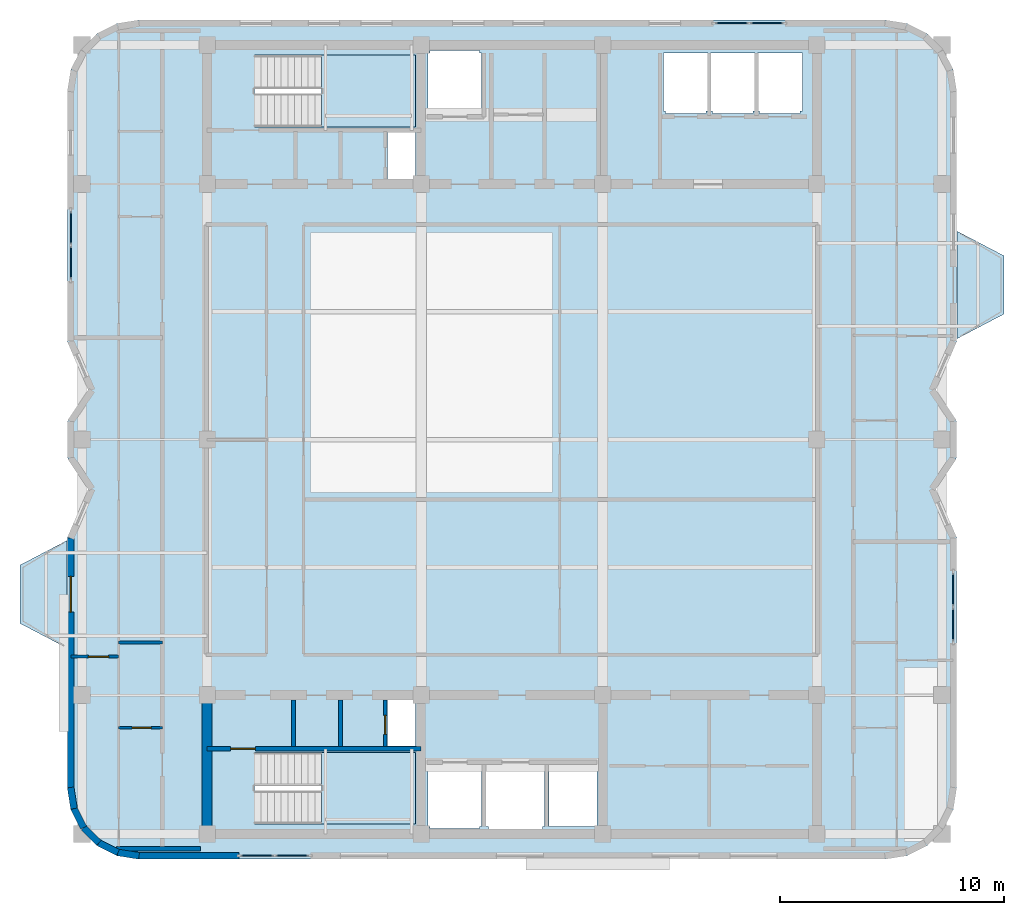
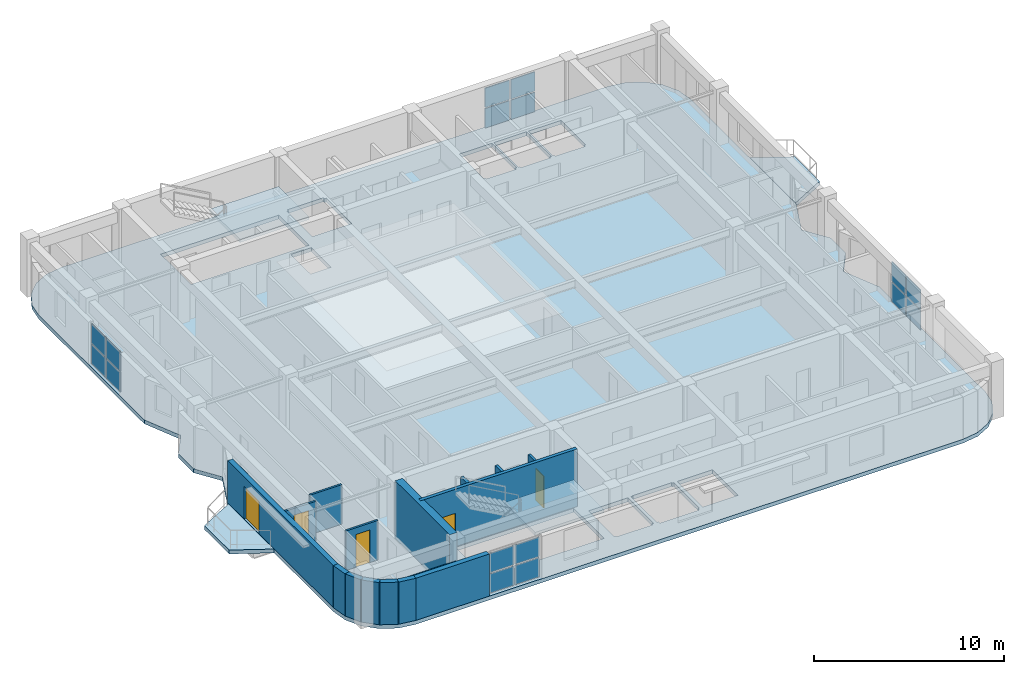
# One storey, part 4 of 11: 16 plates, 16 walls, 5 doors, 5 slabs, 5 openings, 6 elements without a shape of their own.
"""IFC4 building model written with IfcOpenShell, lengths in metres."""

from ifc_helpers import new_model, si_unit, direction, frame, frame_2d, origin, origin_2d, place, context, subcontext, project, spatial, polyline, rectangle, outline, extrude, material, layer, layer_set, type_object, element, fill, aggregate, save


model = new_model("IFC4")

# Units and contexts
model_context = context("Model", 3, precision=1e-05, world=origin(), true_north=direction((0.0, 1.0)))
body_context = subcontext(model_context, "Body", "Model", "MODEL_VIEW")
ifc_project = project(units=[si_unit("LENGTHUNIT", "METRE"), si_unit("AREAUNIT", "SQUARE_METRE"), si_unit("VOLUMEUNIT", "CUBIC_METRE"), si_unit("PLANEANGLEUNIT", "RADIAN"), si_unit("MASSUNIT", "GRAM", prefix="KILO")], contexts=[model_context])

# Site, building, storey
site_placement = place(None, origin())
site = spatial("IfcSite", under=ifc_project, at=site_placement, CompositionType="ELEMENT")
building_placement = place(site_placement, origin())
building = spatial("IfcBuilding", under=site, at=building_placement, Name="Svetorya Sky Lyceum", CompositionType="ELEMENT")
storey_placement = place(building_placement, frame((0.0, 0.0, 293.5)))
storey = spatial("IfcBuildingStorey", under=building, at=storey_placement, Name="L74", CompositionType="ELEMENT", Elevation=293.5)

# Curtain wall, plates
ifc_material_1 = material(Name="Thermally broken anodized aluminium and triple low-E glass", Category="aluminium")
curtain_wall_type = type_object("IfcCurtainWallType", Name="CW6-CRN-OBS", PredefinedType="NOTDEFINED", material=ifc_material_1)
curtain_wall_1_placement = place(storey_placement, origin())
curtain_wall_1 = element("IfcCurtainWall", 1, at=curtain_wall_1_placement, inside=storey, type_object=curtain_wall_type, Name="L74 Observatory Curtain Wall 6", PredefinedType="NOTDEFINED")
ifc_material_2 = material(Name="Acoustic laminated observatory triple glass", Category="glass")
ifc_layer_1 = layer(ifc_material_2, 0.055908203125)
ifc_layer_set_1 = layer_set([ifc_layer_1], Name="Acoustic laminated observatory triple glass")
plate_type = type_object("IfcPlateType", Name="CWP-GLZ-56", PredefinedType="CURTAIN_PANEL", material=ifc_layer_set_1)
plate_1_placement = place(storey_placement, frame((27.831298828125, 9.6298828125, 0.073486328125), z_axis=(0.0, 0.0, 1.0), x_axis=(1.0, 0.0, 0.0)))
plate_1 = element("IfcPlate", 2, at=plate_1_placement, type_object=plate_type, Name="CW-6 panel 1.1", PredefinedType="CURTAIN_PANEL", context=body_context, shape_type="SweptSolid", body=[
    extrude(rectangle(XDim=1.4755859375, YDim=0.055908203125, at=origin_2d()), origin(), (0.0, 0.0, 1.0), 1.24560546875),
])
plate_2_placement = place(storey_placement, frame((27.831298828125, 9.6298828125, 1.390869140625), z_axis=(0.0, 0.0, 1.0), x_axis=(1.0, 0.0, 0.0)))
plate_2 = element("IfcPlate", 3, at=plate_2_placement, type_object=plate_type, Name="CW-6 panel 1.2", PredefinedType="CURTAIN_PANEL", context=body_context, shape_type="SweptSolid", body=[
    extrude(rectangle(XDim=1.4755859375, YDim=0.055908203125, at=origin_2d()), origin(), (0.0, 0.0, 1.0), 1.24560546875),
])
plate_3_placement = place(storey_placement, frame((29.388671875, 9.6298828125, 0.073486328125), z_axis=(0.0, 0.0, 1.0), x_axis=(1.0, 0.0, 0.0)))
plate_3 = element("IfcPlate", 4, at=plate_3_placement, type_object=plate_type, Name="CW-6 panel 2.1", PredefinedType="CURTAIN_PANEL", context=body_context, shape_type="SweptSolid", body=[
    extrude(rectangle(XDim=1.4755859375, YDim=0.055908203125, at=origin_2d()), origin(), (0.0, 0.0, 1.0), 1.24560546875),
])
plate_4_placement = place(storey_placement, frame((29.388671875, 9.6298828125, 1.390869140625), z_axis=(0.0, 0.0, 1.0), x_axis=(1.0, 0.0, 0.0)))
plate_4 = element("IfcPlate", 5, at=plate_4_placement, type_object=plate_type, Name="CW-6 panel 2.2", PredefinedType="CURTAIN_PANEL", context=body_context, shape_type="SweptSolid", body=[
    extrude(rectangle(XDim=1.4755859375, YDim=0.055908203125, at=origin_2d()), origin(), (0.0, 0.0, 1.0), 1.24560546875),
])
aggregate(curtain_wall_1, [plate_1, plate_2, plate_3, plate_4])

curtain_wall_2_placement = place(storey_placement, origin())
curtain_wall_2 = element("IfcCurtainWall", 6, at=curtain_wall_2_placement, inside=storey, type_object=curtain_wall_type, Name="L74 Observatory Curtain Wall 12", PredefinedType="NOTDEFINED")
plate_5_placement = place(storey_placement, frame((58.889892578125, 19.951171875, 0.073486328125), z_axis=(0.0, 0.0, 1.0), x_axis=(0.0, 1.0, 0.0)))
plate_5 = element("IfcPlate", 7, at=plate_5_placement, type_object=plate_type, Name="CW-6 panel 1.1", PredefinedType="CURTAIN_PANEL", context=body_context, shape_type="SweptSolid", body=[
    extrude(rectangle(XDim=1.4755859375, YDim=0.055908203125, at=origin_2d()), origin(), (0.0, 0.0, 1.0), 1.24560546875),
])
plate_6_placement = place(storey_placement, frame((58.889892578125, 19.951171875, 1.390869140625), z_axis=(0.0, 0.0, 1.0), x_axis=(0.0, 1.0, 0.0)))
plate_6 = element("IfcPlate", 8, at=plate_6_placement, type_object=plate_type, Name="CW-6 panel 1.2", PredefinedType="CURTAIN_PANEL", context=body_context, shape_type="SweptSolid", body=[
    extrude(rectangle(XDim=1.4755859375, YDim=0.055908203125, at=origin_2d()), origin(), (0.0, 0.0, 1.0), 1.24560546875),
])
plate_7_placement = place(storey_placement, frame((58.889892578125, 21.5087890625, 0.073486328125), z_axis=(0.0, 0.0, 1.0), x_axis=(0.0, 1.0, 0.0)))
plate_7 = element("IfcPlate", 9, at=plate_7_placement, type_object=plate_type, Name="CW-6 panel 2.1", PredefinedType="CURTAIN_PANEL", context=body_context, shape_type="SweptSolid", body=[
    extrude(rectangle(XDim=1.4755859375, YDim=0.055908203125, at=origin_2d()), origin(), (0.0, 0.0, 1.0), 1.24560546875),
])
plate_8_placement = place(storey_placement, frame((58.889892578125, 21.5087890625, 1.390869140625), z_axis=(0.0, 0.0, 1.0), x_axis=(0.0, 1.0, 0.0)))
plate_8 = element("IfcPlate", 10, at=plate_8_placement, type_object=plate_type, Name="CW-6 panel 2.2", PredefinedType="CURTAIN_PANEL", context=body_context, shape_type="SweptSolid", body=[
    extrude(rectangle(XDim=1.4755859375, YDim=0.055908203125, at=origin_2d()), origin(), (0.0, 0.0, 1.0), 1.24560546875),
])
aggregate(curtain_wall_2, [plate_5, plate_6, plate_7, plate_8])

curtain_wall_3_placement = place(storey_placement, origin())
curtain_wall_3 = element("IfcCurtainWall", 11, at=curtain_wall_3_placement, inside=storey, type_object=curtain_wall_type, Name="L74 Observatory Curtain Wall 24", PredefinedType="NOTDEFINED")
plate_9_placement = place(storey_placement, frame((50.56884765625, 46.77001953125, 0.073486328125), z_axis=(0.0, 0.0, 1.0), x_axis=(-1.0, 0.0, 0.0)))
plate_9 = element("IfcPlate", 12, at=plate_9_placement, type_object=plate_type, Name="CW-6 panel 1.1", PredefinedType="CURTAIN_PANEL", context=body_context, shape_type="SweptSolid", body=[
    extrude(rectangle(XDim=1.4755859375, YDim=0.055908203125, at=origin_2d()), origin(), (0.0, 0.0, 1.0), 1.24560546875),
])
plate_10_placement = place(storey_placement, frame((50.56884765625, 46.77001953125, 1.390869140625), z_axis=(0.0, 0.0, 1.0), x_axis=(-1.0, 0.0, 0.0)))
plate_10 = element("IfcPlate", 13, at=plate_10_placement, type_object=plate_type, Name="CW-6 panel 1.2", PredefinedType="CURTAIN_PANEL", context=body_context, shape_type="SweptSolid", body=[
    extrude(rectangle(XDim=1.4755859375, YDim=0.055908203125, at=origin_2d()), origin(), (0.0, 0.0, 1.0), 1.24560546875),
])
plate_11_placement = place(storey_placement, frame((49.01123046875, 46.77001953125, 0.073486328125), z_axis=(0.0, 0.0, 1.0), x_axis=(-1.0, 0.0, 0.0)))
plate_11 = element("IfcPlate", 14, at=plate_11_placement, type_object=plate_type, Name="CW-6 panel 2.1", PredefinedType="CURTAIN_PANEL", context=body_context, shape_type="SweptSolid", body=[
    extrude(rectangle(XDim=1.4755859375, YDim=0.055908203125, at=origin_2d()), origin(), (0.0, 0.0, 1.0), 1.24560546875),
])
plate_12_placement = place(storey_placement, frame((49.01123046875, 46.77001953125, 1.390869140625), z_axis=(0.0, 0.0, 1.0), x_axis=(-1.0, 0.0, 0.0)))
plate_12 = element("IfcPlate", 15, at=plate_12_placement, type_object=plate_type, Name="CW-6 panel 2.2", PredefinedType="CURTAIN_PANEL", context=body_context, shape_type="SweptSolid", body=[
    extrude(rectangle(XDim=1.4755859375, YDim=0.055908203125, at=origin_2d()), origin(), (0.0, 0.0, 1.0), 1.24560546875),
])
aggregate(curtain_wall_3, [plate_9, plate_10, plate_11, plate_12])

curtain_wall_4_placement = place(storey_placement, origin())
curtain_wall_4 = element("IfcCurtainWall", 16, at=curtain_wall_4_placement, inside=storey, type_object=curtain_wall_type, Name="L74 Observatory Curtain Wall 30", PredefinedType="NOTDEFINED")
plate_13_placement = place(storey_placement, frame((19.510009765625, 37.648681640625, 0.073486328125), z_axis=(0.0, 0.0, 1.0), x_axis=(0.0, -1.0, 0.0)))
plate_13 = element("IfcPlate", 17, at=plate_13_placement, type_object=plate_type, Name="CW-6 panel 1.1", PredefinedType="CURTAIN_PANEL", context=body_context, shape_type="SweptSolid", body=[
    extrude(rectangle(XDim=1.4755859375, YDim=0.055908203125, at=origin_2d()), origin(), (0.0, 0.0, 1.0), 1.24560546875),
])
plate_14_placement = place(storey_placement, frame((19.510009765625, 37.648681640625, 1.390869140625), z_axis=(0.0, 0.0, 1.0), x_axis=(0.0, -1.0, 0.0)))
plate_14 = element("IfcPlate", 18, at=plate_14_placement, type_object=plate_type, Name="CW-6 panel 1.2", PredefinedType="CURTAIN_PANEL", context=body_context, shape_type="SweptSolid", body=[
    extrude(rectangle(XDim=1.4755859375, YDim=0.055908203125, at=origin_2d()), origin(), (0.0, 0.0, 1.0), 1.24560546875),
])
plate_15_placement = place(storey_placement, frame((19.510009765625, 36.09130859375, 0.073486328125), z_axis=(0.0, 0.0, 1.0), x_axis=(0.0, -1.0, 0.0)))
plate_15 = element("IfcPlate", 19, at=plate_15_placement, type_object=plate_type, Name="CW-6 panel 2.1", PredefinedType="CURTAIN_PANEL", context=body_context, shape_type="SweptSolid", body=[
    extrude(rectangle(XDim=1.4755859375, YDim=0.055908203125, at=origin_2d()), origin(), (0.0, 0.0, 1.0), 1.24560546875),
])
plate_16_placement = place(storey_placement, frame((19.510009765625, 36.09130859375, 1.390869140625), z_axis=(0.0, 0.0, 1.0), x_axis=(0.0, -1.0, 0.0)))
plate_16 = element("IfcPlate", 20, at=plate_16_placement, type_object=plate_type, Name="CW-6 panel 2.2", PredefinedType="CURTAIN_PANEL", context=body_context, shape_type="SweptSolid", body=[
    extrude(rectangle(XDim=1.4755859375, YDim=0.055908203125, at=origin_2d()), origin(), (0.0, 0.0, 1.0), 1.24560546875),
])
aggregate(curtain_wall_4, [plate_13, plate_14, plate_15, plate_16])

# Slabs
ifc_material_3 = material(Name="Concrete C40/50", Category="concrete")
ifc_layer_2 = layer(ifc_material_3, 0.25)
ifc_layer_set_2 = layer_set([ifc_layer_2], Name="Concrete C40/50")
slab_type_1 = type_object("IfcSlabType", Name="SL-BAL-250", PredefinedType="FLOOR", material=ifc_layer_set_2)
slab_1_placement = place(storey_placement, frame((0.0, 0.0, -0.25)))
element("IfcSlab", 21, at=slab_1_placement, inside=storey, type_object=slab_type_1, Name="L74 Chamfered Loggia Balcony BAL-W1", PredefinedType="FLOOR", context=body_context, shape_type="SweptSolid", body=[
    extrude(outline(polyline([(19.35009765625, 18.89990234375), (19.35009765625, 23.699951171875), (17.25, 22.60009765625), (17.25, 20.0), (19.35009765625, 18.89990234375)])), origin(), (0.0, 0.0, 1.0), 0.25),
])
slab_2_placement = place(storey_placement, frame((0.0, 0.0, -0.25)))
element("IfcSlab", 22, at=slab_2_placement, inside=storey, type_object=slab_type_1, Name="L74 Chamfered Loggia Balcony BAL-E1", PredefinedType="FLOOR", context=body_context, shape_type="SweptSolid", body=[
    extrude(outline(polyline([(59.050048828125, 32.699951171875), (61.14990234375, 33.800048828125), (61.14990234375, 36.39990234375), (59.050048828125, 37.5), (59.050048828125, 32.699951171875)])), origin(), (0.0, 0.0, 1.0), 0.25),
])

# Stair, slab
stair_type_1 = type_object("IfcStairType", Name="STR-ST-S", PredefinedType="HALF_TURN_STAIR", material=ifc_material_3)
stair_1_placement = place(storey_placement, origin())
stair_1 = element("IfcStair", 23, at=stair_1_placement, inside=storey, type_object=stair_type_1, Name="L74 South Core Smoke-Free Exit Stair N2", PredefinedType="HALF_TURN_STAIR")
ifc_layer_3 = layer(ifc_material_3, 0.199951171875)
ifc_layer_set_3 = layer_set([ifc_layer_3], Name="Concrete C40/50")
slab_type_2 = type_object("IfcSlabType", Name="SL-STR-LAND-200", PredefinedType="LANDING", material=ifc_layer_set_3)
slab_3_placement = place(storey_placement, frame((0.0, 0.0, 1.64990234375)))
slab_3 = element("IfcSlab", 24, at=slab_3_placement, type_object=slab_type_2, Name="ST-S landing 1", PredefinedType="LANDING", context=body_context, shape_type="SweptSolid", body=[
    extrude(outline(polyline([(30.699951171875, 11.050048828125), (34.89990234375, 11.050048828125), (34.89990234375, 14.25), (30.699951171875, 14.25), (30.699951171875, 11.050048828125)])), origin(), (0.0, 0.0, 1.0), 0.2001953125),
])
aggregate(stair_1, [slab_3])

stair_type_2 = type_object("IfcStairType", Name="STR-ST-N", PredefinedType="HALF_TURN_STAIR", material=ifc_material_3)
stair_2_placement = place(storey_placement, origin())
stair_2 = element("IfcStair", 25, at=stair_2_placement, inside=storey, type_object=stair_type_2, Name="L74 North Core Smoke-Free Exit Stair N3", PredefinedType="HALF_TURN_STAIR")
slab_4_placement = place(storey_placement, frame((0.0, 0.0, 1.64990234375)))
slab_4 = element("IfcSlab", 26, at=slab_4_placement, type_object=slab_type_2, Name="ST-N landing 1", PredefinedType="LANDING", context=body_context, shape_type="SweptSolid", body=[
    extrude(outline(polyline([(30.699951171875, 42.14990234375), (34.89990234375, 42.14990234375), (34.89990234375, 45.35009765625), (30.699951171875, 45.35009765625), (30.699951171875, 42.14990234375)])), origin(), (0.0, 0.0, 1.0), 0.2001953125),
])
aggregate(stair_2, [slab_4])

# Slab
ifc_layer_4 = layer(ifc_material_3, 0.25)
ifc_layer_set_4 = layer_set([ifc_layer_4], Name="Concrete C40/50")
slab_type_3 = type_object("IfcSlabType", Name="SL-TWR-250", PredefinedType="FLOOR", material=ifc_layer_set_4)
slab_5_placement = place(storey_placement, frame((0.0, 0.0, -0.25)))
element("IfcSlab", 27, at=slab_5_placement, inside=storey, type_object=slab_type_3, Name="L74 Structural Floor Slab", PredefinedType="FLOOR", context=body_context, shape_type="SweptSolid", body=[
    extrude(outline(polyline([(19.360107421875, 12.679931640625), (19.5166015625, 11.691162109375), (19.97119140625, 10.799072265625), (20.67919921875, 10.091064453125), (21.571044921875, 9.63671875), (22.56005859375, 9.47998046875), (55.840087890625, 9.47998046875), (56.828857421875, 9.63671875), (57.720947265625, 10.091064453125), (58.428955078125, 10.799072265625), (58.88330078125, 11.691162109375), (59.0400390625, 12.679931640625), (59.0400390625, 23.800048828125), (58.090087890625, 26.0), (59.0400390625, 27.39990234375), (59.0400390625, 29.0), (58.090087890625, 30.39990234375), (59.0400390625, 32.60009765625), (59.0400390625, 43.719970703125), (58.88330078125, 44.708984375), (58.428955078125, 45.600830078125), (57.720947265625, 46.308837890625), (56.828857421875, 46.763427734375), (55.840087890625, 46.919921875), (22.56005859375, 46.919921875), (21.571044921875, 46.763427734375), (20.67919921875, 46.308837890625), (19.97119140625, 45.600830078125), (19.5166015625, 44.708984375), (19.360107421875, 43.719970703125), (19.360107421875, 32.60009765625), (20.31005859375, 30.39990234375), (19.360107421875, 29.0), (19.360107421875, 27.39990234375), (20.31005859375, 26.0), (19.360107421875, 23.800048828125), (19.360107421875, 12.679931640625)]), holes=[polyline([(37.85009765625, 10.949951171875), (37.75, 10.949951171875), (37.75, 10.85009765625), (35.550048828125, 10.85009765625), (35.550048828125, 10.949951171875), (35.449951171875, 10.949951171875), (35.449951171875, 13.64990234375), (35.550048828125, 13.64990234375), (37.75, 13.64990234375), (37.85009765625, 13.64990234375), (37.85009765625, 10.949951171875)]), polyline([(38.14990234375, 10.800048828125), (38.14990234375, 10.949951171875), (38.050048828125, 10.949951171875), (38.050048828125, 13.64990234375), (38.14990234375, 13.64990234375), (38.14990234375, 13.699951171875), (40.550048828125, 13.699951171875), (40.550048828125, 13.64990234375), (40.64990234375, 13.64990234375), (40.64990234375, 10.949951171875), (40.550048828125, 10.949951171875), (40.550048828125, 10.800048828125), (38.14990234375, 10.800048828125)]), polyline([(27.719970703125, 11.050048828125), (27.719970703125, 14.25), (34.89990234375, 14.25), (34.89990234375, 11.050048828125), (27.719970703125, 11.050048828125)]), polyline([(33.64990234375, 14.52001953125), (33.64990234375, 16.580078125), (34.89990234375, 16.580078125), (34.89990234375, 14.52001953125), (33.64990234375, 14.52001953125)]), polyline([(33.64990234375, 39.820068359375), (33.64990234375, 41.89990234375), (34.89990234375, 41.89990234375), (34.89990234375, 39.820068359375), (33.64990234375, 39.820068359375)]), polyline([(27.719970703125, 42.14990234375), (27.719970703125, 45.35009765625), (34.89990234375, 45.35009765625), (34.89990234375, 42.14990234375), (27.719970703125, 42.14990234375)]), polyline([(37.75, 42.75), (35.550048828125, 42.75), (35.449951171875, 42.75), (35.449951171875, 45.449951171875), (35.550048828125, 45.449951171875), (35.550048828125, 45.550048828125), (37.75, 45.550048828125), (37.75, 45.449951171875), (37.85009765625, 45.449951171875), (37.85009765625, 42.75), (37.75, 42.75)]), polyline([(40.85009765625, 10.949951171875), (40.85009765625, 13.64990234375), (43.0, 13.64990234375), (43.0, 10.949951171875), (40.85009765625, 10.949951171875)]), polyline([(46.050048828125, 42.75), (46.050048828125, 42.85009765625), (45.949951171875, 42.85009765625), (45.949951171875, 45.449951171875), (46.050048828125, 45.449951171875), (47.85009765625, 45.449951171875), (47.949951171875, 45.449951171875), (47.949951171875, 42.85009765625), (47.85009765625, 42.85009765625), (47.85009765625, 42.75), (46.050048828125, 42.75)]), polyline([(50.050048828125, 42.85009765625), (49.949951171875, 42.85009765625), (49.949951171875, 42.75), (48.14990234375, 42.75), (48.14990234375, 42.85009765625), (48.050048828125, 42.85009765625), (48.050048828125, 45.449951171875), (48.14990234375, 45.449951171875), (49.949951171875, 45.449951171875), (50.050048828125, 45.449951171875), (50.050048828125, 42.85009765625)]), polyline([(52.14990234375, 42.85009765625), (52.050048828125, 42.85009765625), (52.050048828125, 42.75), (50.25, 42.75), (50.25, 42.85009765625), (50.14990234375, 42.85009765625), (50.14990234375, 45.449951171875), (50.25, 45.449951171875), (52.050048828125, 45.449951171875), (52.14990234375, 45.449951171875), (52.14990234375, 42.85009765625)])]), origin(), (0.0, 0.0, 1.0), 0.25),
])

# Walls
ifc_material_4 = material(Name="Concrete C50/60", Category="concrete")
ifc_layer_5 = layer(ifc_material_4, 0.449951171875)
ifc_layer_set_5 = layer_set([ifc_layer_5], Name="Concrete C50/60")
wall_type_1 = type_object("IfcWallType", Name="WL-CORE-450", PredefinedType="SHEAR", material=ifc_layer_set_5)
wall_1_placement = place(storey_placement, frame((25.60009765625, 10.824951171875, 0.0), z_axis=(0.0, 0.0, 1.0), x_axis=(0.0, 1.0, 0.0)))
element("IfcWall", 28, at=wall_1_placement, inside=storey, type_object=wall_type_1, Name="L74 SC West Core Shear Wall", PredefinedType="SHEAR", context=body_context, shape_type="SweptSolid", body=[
    extrude(rectangle(XDim=5.75, YDim=0.449951171875, at=frame_2d((2.875, 0.0))), origin(), (0.0, 0.0, 1.0), 3.699951171875),
])
ifc_material_5 = material(Name="Putilovo limestone rainscreen on autoclaved cellular masonry", Category="masonry")
ifc_layer_6 = layer(ifc_material_5, 0.300048828125)
ifc_layer_set_6 = layer_set([ifc_layer_6], Name="Putilovo limestone rainscreen on autoclaved cellular masonry")
wall_type_2 = type_object("IfcWallType", Name="WL-EXT-300", PredefinedType="SOLIDWALL", material=ifc_layer_set_6)
wall_2_placement = place(storey_placement, frame((19.510009765625, 12.679931640625, 0.0), z_axis=(0.0, 0.0, 1.0), x_axis=(0.156343617883, -0.987702725088, 0.0)))
element("IfcWall", 29, at=wall_2_placement, inside=storey, type_object=wall_type_2, Name="L74 Limestone Exterior Wall 1M", PredefinedType="SOLIDWALL", context=body_context, shape_type="SweptSolid", body=[
    extrude(rectangle(XDim=0.9541015625, YDim=0.300048828125, at=frame_2d((0.47705078125, 0.0))), origin(), (0.0, 0.0, 1.0), 2.7099609375),
])
for number, where, z_axis, x_axis, name in (
    (30, (19.6591796875, 11.737548828125, 0.0), (0.0, 0.0, 1.0), (0.454056065666, -0.890973113642, 0.0), "L74 Limestone Exterior Wall 2M"),
    (31, (20.092529296875, 10.88720703125, 0.0), (0.0, 0.0, 1.0), (0.707106781187, -0.707106781187, 0.0), "L74 Limestone Exterior Wall 3M"),
):
    element("IfcWall", number, at=place(storey_placement, frame(where, z_axis=z_axis, x_axis=x_axis)), inside=storey, type_object=wall_type_2, Name=name, PredefinedType="SOLIDWALL", context=body_context, shape_type="SweptSolid", body=[
        extrude(rectangle(XDim=0.954345703125, YDim=0.300048828125, at=frame_2d((0.47705078125, 0.0))), origin(), (0.0, 0.0, 1.0), 2.7099609375),
    ])
wall_3_placement = place(storey_placement, frame((20.767333984375, 10.21240234375, 0.0), z_axis=(0.0, 0.0, 1.0), x_axis=(0.891023873617, -0.45395644796, 0.0)))
element("IfcWall", 32, at=wall_3_placement, inside=storey, type_object=wall_type_2, Name="L74 Limestone Exterior Wall 4M", PredefinedType="SOLIDWALL", context=body_context, shape_type="SweptSolid", body=[
    extrude(rectangle(XDim=0.9541015625, YDim=0.300048828125, at=frame_2d((0.47705078125, 0.0))), origin(), (0.0, 0.0, 1.0), 2.7099609375),
])
wall_4_placement = place(storey_placement, frame((21.617431640625, 9.779296875, 0.0), z_axis=(0.0, 0.0, 1.0), x_axis=(0.987669453596, -0.156553666304, 0.0)))
element("IfcWall", 33, at=wall_4_placement, inside=storey, type_object=wall_type_2, Name="L74 Limestone Exterior Wall 5M", PredefinedType="SOLIDWALL", context=body_context, shape_type="SweptSolid", body=[
    extrude(rectangle(XDim=0.954345703125, YDim=0.300048828125, at=frame_2d((0.47705078125, 0.0))), origin(), (0.0, 0.0, 1.0), 2.7099609375),
])
wall_5_placement = place(storey_placement, frame((22.56005859375, 9.6298828125, 0.0), z_axis=(0.0, 0.0, 1.0), x_axis=(1.0, 0.0, 0.0)))
element("IfcWall", 34, at=wall_5_placement, inside=storey, type_object=wall_type_2, Name="L74 Limestone Exterior Wall 6A", PredefinedType="SOLIDWALL", context=body_context, shape_type="SweptSolid", body=[
    extrude(rectangle(XDim=4.449951171875, YDim=0.300048828125, at=frame_2d((2.22509765625, 0.0))), origin(), (0.0, 0.0, 1.0), 2.7099609375),
])

# Wall, opening, door
wall_6_placement = place(storey_placement, frame((19.510009765625, 23.800048828125, 0.0), z_axis=(0.0, 0.0, 1.0), x_axis=(0.0, -1.0, 0.0)))
wall_6 = element("IfcWall", 35, at=wall_6_placement, inside=storey, type_object=wall_type_2, Name="L74 Limestone Exterior Wall 36M", PredefinedType="SOLIDWALL", context=body_context, shape_type="SweptSolid", body=[
    extrude(rectangle(XDim=11.1201171875, YDim=0.300048828125, at=frame_2d((5.56005859375, 0.0))), origin(), (0.0, 0.0, 1.0), 2.7099609375),
])
opening_1_placement = place(wall_6_placement, frame((1.699951171875, 0.0, 0.0)))
opening_1 = element("IfcOpeningElement", 36, at=opening_1_placement, cuts=wall_6, Name="Opening D-BL1", PredefinedType="OPENING", context=body_context, shape_type="SweptSolid", body=[
    extrude(rectangle(XDim=1.60009765625, YDim=2.10009765625, at=frame_2d((0.800048828125, 1.050048828125))), frame((0.0, 0.159912109375, 0.0), z_axis=(0.0, -1.0, 0.0), x_axis=(1.0, 0.0, 0.0)), (0.0, 0.0, 1.0), 0.320068359375),
])
ifc_material_6 = material(Name="Insulated glazed aluminium balcony door", Category="aluminium")
door_type_1 = type_object("IfcDoorType", Name="DR-BAL-1600", OperationType="DOUBLE_DOOR_SINGLE_SWING", PredefinedType="DOOR", material=ifc_material_6)
door_1_placement = place(opening_1_placement, origin())
door_1 = element("IfcDoor", 37, at=door_1_placement, inside=storey, type_object=door_type_1, Name="L74 Balcony BAL-W1 Door", OperationType="DOUBLE_DOOR_SINGLE_SWING", OverallHeight=2.10009765625, OverallWidth=1.60009765625, PredefinedType="DOOR", context=body_context, shape_type="SweptSolid", body=[
    extrude(rectangle(XDim=1.60009765625, YDim=2.10009765625, at=frame_2d((0.800048828125, 1.050048828125))), frame((0.0, 0.02490234375, 0.0), z_axis=(0.0, -1.0, 0.0), x_axis=(1.0, 0.0, 0.0)), (0.0, 0.0, 1.0), 0.050048828125),
])
fill(opening_1, door_1)

ifc_material_7 = material(Name="Twin-stud galvanized framing with double fireboard", Category="gypsum")
ifc_layer_7 = layer(ifc_material_7, 0.1201171875)
ifc_layer_set_7 = layer_set([ifc_layer_7], Name="Twin-stud galvanized framing with double fireboard")
wall_type_3 = type_object("IfcWallType", Name="WL-PART-120", PredefinedType="PARTITIONING", material=ifc_layer_set_7)
wall_7_placement = place(storey_placement, frame((21.64990234375, 15.35009765625, 0.0), z_axis=(0.0, 0.0, 1.0), x_axis=(1.0, 0.0, 0.0)))
wall_7 = element("IfcWall", 38, at=wall_7_placement, inside=storey, type_object=wall_type_3, Name="L74 Interior Partition W1-WH1", PredefinedType="PARTITIONING", context=body_context, shape_type="SweptSolid", body=[
    extrude(rectangle(XDim=1.9501953125, YDim=0.1201171875, at=frame_2d((0.97509765625, 0.0))), origin(), (0.0, 0.0, 1.0), 2.5400390625),
])
opening_2_placement = place(wall_7_placement, frame((0.60009765625, 0.0, 0.0)))
opening_2 = element("IfcOpeningElement", 39, at=opening_2_placement, cuts=wall_7, Name="Opening D-BT1", PredefinedType="OPENING", context=body_context, shape_type="SweptSolid", body=[
    extrude(rectangle(XDim=0.85009765625, YDim=2.10009765625, at=frame_2d((0.425048828125, 1.050048828125))), frame((0.0, 0.070068359375, 0.0), z_axis=(0.0, -1.0, 0.0), x_axis=(1.0, 0.0, 0.0)), (0.0, 0.0, 1.0), 0.14013671875),
])
ifc_material_8 = material(Name="Moisture-resistant laminate bathroom door")
door_type_2 = type_object("IfcDoorType", Name="DR-WET-850", OperationType="SINGLE_SWING_LEFT", PredefinedType="DOOR", material=ifc_material_8)
door_2_placement = place(opening_2_placement, origin())
door_2 = element("IfcDoor", 40, at=door_2_placement, inside=storey, type_object=door_type_2, Name="Apartment W1 Bathroom Door", OperationType="SINGLE_SWING_LEFT", OverallHeight=2.10009765625, OverallWidth=0.85009765625, PredefinedType="DOOR", context=body_context, shape_type="SweptSolid", body=[
    extrude(rectangle(XDim=0.85009765625, YDim=2.10009765625, at=frame_2d((0.425048828125, 1.050048828125))), frame((0.0, 0.02490234375, 0.0), z_axis=(0.0, -1.0, 0.0), x_axis=(1.0, 0.0, 0.0)), (0.0, 0.0, 1.0), 0.050048828125),
])
fill(opening_2, door_2)

# Wall
wall_8_placement = place(storey_placement, frame((21.64990234375, 19.14990234375, 0.0), z_axis=(0.0, 0.0, 1.0), x_axis=(1.0, 0.0, 0.0)))
element("IfcWall", 41, at=wall_8_placement, inside=storey, type_object=wall_type_3, Name="L74 Interior Partition W1-WH2", PredefinedType="PARTITIONING", context=body_context, shape_type="SweptSolid", body=[
    extrude(rectangle(XDim=1.9501953125, YDim=0.1201171875, at=frame_2d((0.97509765625, 0.0))), origin(), (0.0, 0.0, 1.0), 2.5400390625),
])

# Wall, opening, door
wall_9_placement = place(storey_placement, frame((19.530029296875, 18.52001953125, 0.0), z_axis=(0.0, 0.0, 1.0), x_axis=(1.0, 0.0, 0.0)))
wall_9 = element("IfcWall", 42, at=wall_9_placement, inside=storey, type_object=wall_type_3, Name="L74 Interior Partition W1-WL1", PredefinedType="PARTITIONING", context=body_context, shape_type="SweptSolid", body=[
    extrude(rectangle(XDim=2.119873046875, YDim=0.1201171875, at=frame_2d((1.06005859375, 0.0))), origin(), (0.0, 0.0, 1.0), 2.5400390625),
])
opening_3_placement = place(wall_9_placement, frame((0.77001953125, 0.0, 0.0)))
opening_3 = element("IfcOpeningElement", 43, at=opening_3_placement, cuts=wall_9, Name="Opening D-RM1", PredefinedType="OPENING", context=body_context, shape_type="SweptSolid", body=[
    extrude(rectangle(XDim=0.89990234375, YDim=2.10009765625, at=frame_2d((0.449951171875, 1.050048828125))), frame((0.0, 0.070068359375, 0.0), z_axis=(0.0, -1.0, 0.0), x_axis=(1.0, 0.0, 0.0)), (0.0, 0.0, 1.0), 0.14013671875),
])
ifc_material_9 = material(Name="Lacquered birch veneer internal door")
door_type_3 = type_object("IfcDoorType", Name="DR-INT-900", OperationType="SINGLE_SWING_LEFT", PredefinedType="DOOR", material=ifc_material_9)
door_3_placement = place(opening_3_placement, origin())
door_3 = element("IfcDoor", 44, at=door_3_placement, inside=storey, type_object=door_type_3, Name="Apartment W1 Bedroom 1 Door", OperationType="SINGLE_SWING_LEFT", OverallHeight=2.10009765625, OverallWidth=0.89990234375, PredefinedType="DOOR", context=body_context, shape_type="SweptSolid", body=[
    extrude(rectangle(XDim=0.89990234375, YDim=2.10009765625, at=frame_2d((0.449951171875, 1.050048828125))), frame((0.0, 0.02490234375, 0.0), z_axis=(0.0, -1.0, 0.0), x_axis=(1.0, 0.0, 0.0)), (0.0, 0.0, 1.0), 0.050048828125),
])
fill(opening_3, door_3)

ifc_material_10 = material(Name="Autoclaved cellular masonry blockwork with acoustic render", Category="masonry")
ifc_layer_8 = layer(ifc_material_10, 0.14990234375)
ifc_layer_set_8 = layer_set([ifc_layer_8], Name="Autoclaved cellular masonry blockwork with acoustic render")
wall_type_4 = type_object("IfcWallType", Name="WL-PART-150", PredefinedType="PARTITIONING", material=ifc_layer_set_8)
wall_10_placement = place(storey_placement, frame((33.550048828125, 14.5, 0.0), z_axis=(0.0, 0.0, 1.0), x_axis=(0.0, 1.0, 0.0)))
wall_10 = element("IfcWall", 45, at=wall_10_placement, inside=storey, type_object=wall_type_4, Name="L74 Interior Partition SC-SWD3", PredefinedType="PARTITIONING", context=body_context, shape_type="SweptSolid", body=[
    extrude(rectangle(XDim=2.080078125, YDim=0.14990234375, at=frame_2d((1.0400390625, 0.0))), origin(), (0.0, 0.0, 1.0), 2.5400390625),
])
opening_4_placement = place(wall_10_placement, frame((0.550048828125, 0.0, 0.0)))
opening_4 = element("IfcOpeningElement", 46, at=opening_4_placement, cuts=wall_10, Name="Opening D-SH1", PredefinedType="OPENING", context=body_context, shape_type="SweptSolid", body=[
    extrude(rectangle(XDim=0.85009765625, YDim=2.050048828125, at=frame_2d((0.425048828125, 1.02490234375))), frame((0.0, 0.0849609375, 0.0), z_axis=(0.0, -1.0, 0.0), x_axis=(1.0, 0.0, 0.0)), (0.0, 0.0, 1.0), 0.169921875),
])
ifc_material_11 = material(Name="Insulated galvanized riser inspection fire door")
door_type_4 = type_object("IfcDoorType", Name="DR-SHFT-850", OperationType="SINGLE_SWING_LEFT", PredefinedType="TRAPDOOR", material=ifc_material_11)
door_4_placement = place(opening_4_placement, origin())
door_4 = element("IfcDoor", 47, at=door_4_placement, inside=storey, type_object=door_type_4, Name="L74 South Riser Access Door", OperationType="SINGLE_SWING_RIGHT", OverallHeight=2.050048828125, OverallWidth=0.85009765625, PredefinedType="TRAPDOOR", context=body_context, shape_type="SweptSolid", body=[
    extrude(rectangle(XDim=0.85009765625, YDim=2.050048828125, at=frame_2d((0.425048828125, 1.02490234375))), frame((0.0, 0.02490234375, 0.0), z_axis=(0.0, -1.0, 0.0), x_axis=(1.0, 0.0, 0.0)), (0.0, 0.0, 1.0), 0.050048828125),
])
fill(opening_4, door_4)

# Walls
ifc_material_12 = material(Name="Autoclaved cellular masonry blockwork with fire render", Category="masonry")
ifc_layer_9 = layer(ifc_material_12, 0.175048828125)
ifc_layer_set_9 = layer_set([ifc_layer_9], Name="Autoclaved cellular masonry blockwork with fire render")
wall_type_5 = type_object("IfcWallType", Name="WL-PART-175", PredefinedType="PARTITIONING", material=ifc_layer_set_9)
for number, where, z_axis, x_axis, name in (
    (48, (29.449951171875, 14.5, 0.0), (0.0, 0.0, 1.0), (0.0, 1.0, 0.0), "L74 Interior Partition SC-SWD1"),
    (49, (31.550048828125, 14.5, 0.0), (0.0, 0.0, 1.0), (0.0, 1.0, 0.0), "L74 Interior Partition SC-SWD2"),
):
    element("IfcWall", number, at=place(storey_placement, frame(where, z_axis=z_axis, x_axis=x_axis)), inside=storey, type_object=wall_type_5, Name=name, PredefinedType="PARTITIONING", context=body_context, shape_type="SweptSolid", body=[
        extrude(rectangle(XDim=2.080078125, YDim=0.175048828125, at=frame_2d((1.0400390625, 0.0))), origin(), (0.0, 0.0, 1.0), 2.5400390625),
    ])
ifc_material_13 = material(Name="Autoclaved cellular masonry blockwork with gypsum plaster", Category="masonry")
ifc_layer_10 = layer(ifc_material_13, 0.199951171875)
ifc_layer_set_10 = layer_set([ifc_layer_10], Name="Autoclaved cellular masonry blockwork with gypsum plaster")
wall_type_6 = type_object("IfcWallType", Name="WL-PART-200", PredefinedType="PARTITIONING", material=ifc_layer_set_10)
wall_11_placement = place(storey_placement, frame((21.5458984375, 9.949951171875, 0.0), z_axis=(0.0, 0.0, 1.0), x_axis=(1.0, 0.0, 0.0)))
element("IfcWall", 50, at=wall_11_placement, inside=storey, type_object=wall_type_6, Name="L74 Interior Partition W-CAP-S", PredefinedType="PARTITIONING", context=body_context, shape_type="SweptSolid", body=[
    extrude(rectangle(XDim=3.754150390625, YDim=0.199951171875, at=frame_2d((1.876953125, 0.0))), origin(), (0.0, 0.0, 1.0), 2.5400390625),
])

# Wall, opening, door
ifc_layer_11 = layer(ifc_material_4, 0.199951171875)
ifc_layer_set_11 = layer_set([ifc_layer_11], Name="Concrete C50/60")
wall_type_7 = type_object("IfcWallType", Name="WL-SHW-200", PredefinedType="SHEAR", material=ifc_layer_set_11)
wall_12_placement = place(storey_placement, frame((25.60009765625, 14.39990234375, 0.0), z_axis=(0.0, 0.0, 1.0), x_axis=(1.0, 0.0, 0.0)))
wall_12 = element("IfcWall", 51, at=wall_12_placement, inside=storey, type_object=wall_type_7, Name="L74 Structural Stair Shaft Wall SC-STW", PredefinedType="SHEAR", context=body_context, shape_type="SweptSolid", body=[
    extrude(rectangle(XDim=9.5498046875, YDim=0.199951171875, at=frame_2d((4.77490234375, 0.0))), origin(), (0.0, 0.0, 1.0), 3.699951171875),
])
opening_5_placement = place(wall_12_placement, frame((1.050048828125, 0.0, 0.0)))
opening_5 = element("IfcOpeningElement", 52, at=opening_5_placement, cuts=wall_12, Name="Opening D-ST1", PredefinedType="OPENING", context=body_context, shape_type="SweptSolid", body=[
    extrude(rectangle(XDim=1.10009765625, YDim=2.14990234375, at=frame_2d((0.550048828125, 1.074951171875))), frame((0.0, 0.10986328125, 0.0), z_axis=(0.0, -1.0, 0.0), x_axis=(1.0, 0.0, 0.0)), (0.0, 0.0, 1.0), 0.219970703125),
])
ifc_material_14 = material(Name="Powder-coated insulated galvanized stair fire door")
door_type_5 = type_object("IfcDoorType", Name="DR-FIRE-1100", OperationType="SINGLE_SWING_LEFT", PredefinedType="DOOR", material=ifc_material_14)
door_5_placement = place(opening_5_placement, origin())
door_5 = element("IfcDoor", 53, at=door_5_placement, inside=storey, type_object=door_type_5, Name="L74 Stair ST-S Vestibule Fire Door", OperationType="SINGLE_SWING_LEFT", OverallHeight=2.14990234375, OverallWidth=1.10009765625, PredefinedType="DOOR", context=body_context, shape_type="SweptSolid", body=[
    extrude(rectangle(XDim=1.10009765625, YDim=2.14990234375, at=frame_2d((0.550048828125, 1.074951171875))), frame((0.0, 0.02490234375, 0.0), z_axis=(0.0, -1.0, 0.0), x_axis=(1.0, 0.0, 0.0)), (0.0, 0.0, 1.0), 0.050048828125),
])
fill(opening_5, door_5)

save(model, "model.ifc")
